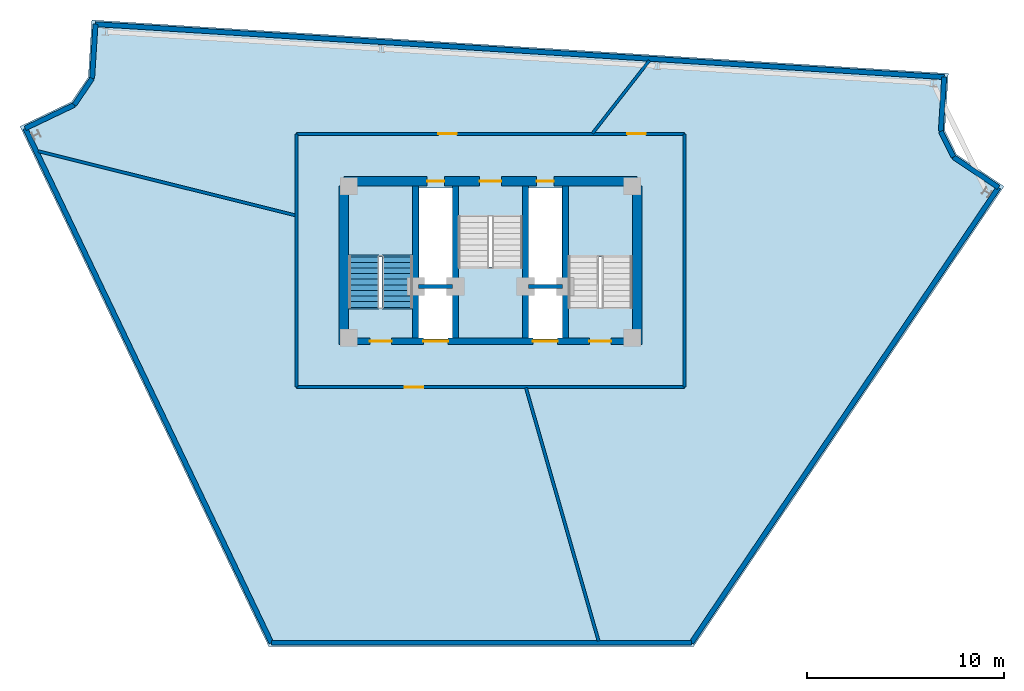
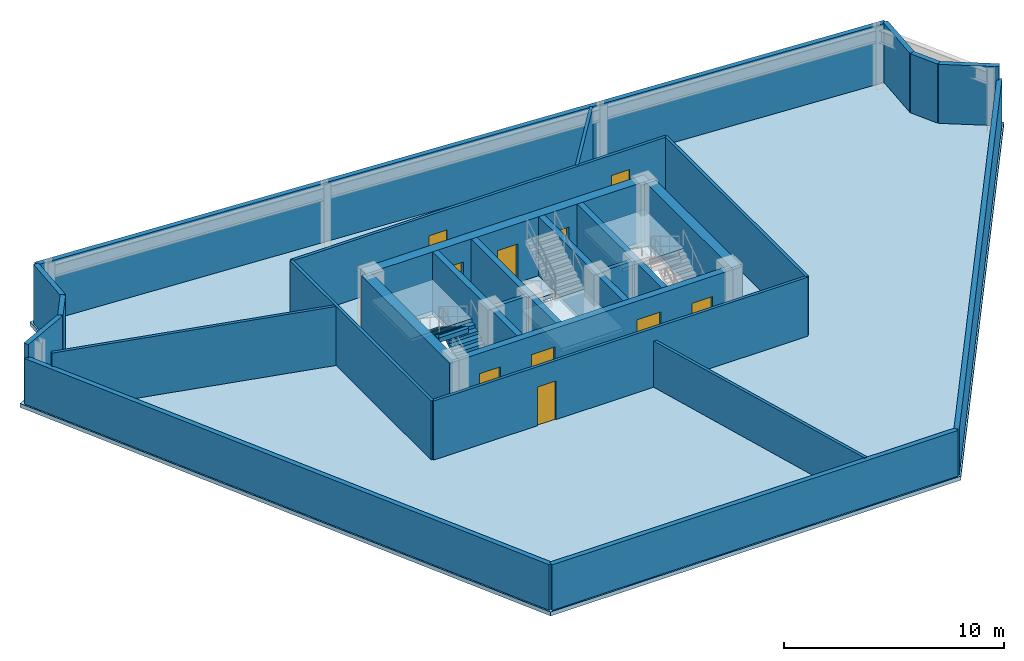
# One storey, part 3 of 5: 27 walls, 10 doors, 4 slabs, 2 stair flights, 10 openings, 3 elements without a shape of their own.
"""IFC4 building model written with IfcOpenShell, lengths in metres."""

from ifc_helpers import new_model, si_unit, direction, frame, frame_2d, origin, place, context, subcontext, project, spatial, polyline, rectangle, outline, extrude, material, layer, layer_set, type_object, element, fill, aggregate, save


model = new_model("IFC4")

# Units and contexts
model_context = context("Model", 3, precision=1e-05, world=origin(), true_north=direction((0.0, 1.0)))
body_context = subcontext(model_context, "Body", "Model", "MODEL_VIEW")
ifc_project = project(units=[si_unit("LENGTHUNIT", "METRE"), si_unit("AREAUNIT", "SQUARE_METRE"), si_unit("VOLUMEUNIT", "CUBIC_METRE"), si_unit("PLANEANGLEUNIT", "RADIAN"), si_unit("MASSUNIT", "GRAM", prefix="KILO")], contexts=[model_context])

# Site, building, storey
site_placement = place(None, origin())
site = spatial("IfcSite", under=ifc_project, at=site_placement, CompositionType="ELEMENT")
building_placement = place(site_placement, origin())
building = spatial("IfcBuilding", under=site, at=building_placement, Name="Apsidion Concourse Tower", CompositionType="ELEMENT")
storey_placement = place(building_placement, frame((0.0, 0.0, 339.5)))
storey = spatial("IfcBuildingStorey", under=building, at=storey_placement, Name="L80", CompositionType="ELEMENT", Elevation=339.5)

# Slab
ifc_material_1 = material(Name="Concrete C50/60", Category="concrete")
ifc_layer_1 = layer(ifc_material_1, 0.219970703125)
ifc_layer_set_1 = layer_set([ifc_layer_1], Name="Concrete C50/60")
slab_type_1 = type_object("IfcSlabType", Name="SL-FLR-220", PredefinedType="FLOOR", material=ifc_layer_set_1)
slab_1_placement = place(storey_placement, frame((0.0, 0.0, -0.219970703125)))
element("IfcSlab", 1, at=slab_1_placement, inside=storey, type_object=slab_type_1, Name="L80 Structural Floor Slab", PredefinedType="FLOOR", context=body_context, shape_type="SweptSolid", body=[
    extrude(outline(polyline([(-23.89111328125, 12.180908203125), (-21.27001953125, 13.43505859375), (-20.424560546875, 14.688232421875), (-20.24365234375, 17.58837890625), (23.251708984375, 14.875732421875), (23.07080078125, 11.9755859375), (23.668701171875, 10.76171875), (26.07763671875, 9.136962890625), (10.31201171875, -14.236328125), (-11.251953125, -14.236328125), (-23.89111328125, 12.180908203125)]), holes=[polyline([(-3.949951171875, 3.0), (-3.949951171875, 9.14990234375), (-7.199951171875, 9.14990234375), (-7.199951171875, 3.0), (-3.949951171875, 3.0)]), polyline([(7.199951171875, 3.0), (7.199951171875, 9.14990234375), (3.949951171875, 9.14990234375), (3.949951171875, 3.0), (7.199951171875, 3.0)]), polyline([(-1.625, 7.60009765625), (-1.625, 1.449951171875), (1.625, 1.449951171875), (1.625, 7.60009765625), (-1.625, 7.60009765625)]), polyline([(-3.7099609375, 1.39990234375), (-1.85009765625, 1.39990234375), (-1.85009765625, 4.0), (-3.7099609375, 4.0), (-3.7099609375, 1.39990234375)]), polyline([(1.85009765625, 1.39990234375), (3.7099609375, 1.39990234375), (3.7099609375, 4.0), (1.85009765625, 4.0), (1.85009765625, 1.39990234375)]), polyline([(-3.6201171875, 4.14990234375), (-1.93994140625, 4.14990234375), (-1.93994140625, 9.050048828125), (-3.6201171875, 9.050048828125), (-3.6201171875, 4.14990234375)]), polyline([(1.93994140625, 4.14990234375), (3.6201171875, 4.14990234375), (3.6201171875, 9.050048828125), (1.93994140625, 9.050048828125), (1.93994140625, 4.14990234375)])]), origin(), (0.0, 0.0, 1.0), 0.219970703125),
])

# Stair, slab
ifc_material_2 = material(Name="Precast concrete C40/50", Category="concrete")
stair_type = type_object("IfcStairType", Name="ST-DL-1550", PredefinedType="HALF_TURN_STAIR", material=ifc_material_2)
stair_1_placement = place(storey_placement, origin())
stair_1 = element("IfcStair", 2, at=stair_1_placement, inside=storey, type_object=stair_type, Name="L80 Protected Core Exit Stair ST1", PredefinedType="HALF_TURN_STAIR")
ifc_layer_2 = layer(ifc_material_1, 0.199951171875)
ifc_layer_set_2 = layer_set([ifc_layer_2], Name="Concrete C50/60")
slab_type_2 = type_object("IfcSlabType", Name="SL-ST-LAND-200", PredefinedType="LANDING", material=ifc_layer_set_2)
slab_2_placement = place(storey_placement, frame((0.0, 0.0, 1.550048828125)))
slab_2 = element("IfcSlab", 3, at=slab_2_placement, type_object=slab_type_2, Name="ST1 landing 1", PredefinedType="LANDING", context=body_context, shape_type="SweptSolid", body=[
    extrude(outline(polyline([(-3.949951171875, 5.56494140625), (-3.949951171875, 9.14990234375), (-7.199951171875, 9.14990234375), (-7.199951171875, 5.56494140625), (-3.949951171875, 5.56494140625)])), origin(), (0.0, 0.0, 1.0), 0.199951171875),
])

stair_2_placement = place(storey_placement, origin())
stair_2 = element("IfcStair", 4, at=stair_2_placement, inside=storey, type_object=stair_type, Name="L80 Protected Core Exit Stair ST2", PredefinedType="HALF_TURN_STAIR")
slab_3_placement = place(storey_placement, frame((0.0, 0.0, 1.550048828125)))
slab_3 = element("IfcSlab", 5, at=slab_3_placement, type_object=slab_type_2, Name="ST2 landing 1", PredefinedType="LANDING", context=body_context, shape_type="SweptSolid", body=[
    extrude(outline(polyline([(7.199951171875, 5.56494140625), (7.199951171875, 9.14990234375), (3.949951171875, 9.14990234375), (3.949951171875, 5.56494140625), (7.199951171875, 5.56494140625)])), origin(), (0.0, 0.0, 1.0), 0.199951171875),
])
aggregate(stair_2, [slab_3])

stair_3_placement = place(storey_placement, origin())
stair_3 = element("IfcStair", 6, at=stair_3_placement, inside=storey, type_object=stair_type, Name="L80 Protected Core Exit Stair ST3", PredefinedType="HALF_TURN_STAIR")
slab_4_placement = place(storey_placement, frame((0.0, 0.0, 1.550048828125)))
slab_4 = element("IfcSlab", 7, at=slab_4_placement, type_object=slab_type_2, Name="ST3 landing 1", PredefinedType="LANDING", context=body_context, shape_type="SweptSolid", body=[
    extrude(outline(polyline([(-1.625, 5.034912109375), (-1.625, 1.449951171875), (1.625, 1.449951171875), (1.625, 5.034912109375), (-1.625, 5.034912109375)])), origin(), (0.0, 0.0, 1.0), 0.199951171875),
])
aggregate(stair_3, [slab_4])

# Walls
ifc_layer_3 = layer(ifc_material_2, 0.25)
ifc_layer_set_3 = layer_set([ifc_layer_3], Name="Precast concrete C40/50")
wall_type_1 = type_object("IfcWallType", Name="WL-EXT-250", PredefinedType="STANDARD", material=ifc_layer_set_3)
wall_1_placement = place(storey_placement, frame((-23.62451171875, 12.0869140625, 0.0), z_axis=(0.0, 0.0, 1.0), x_axis=(0.902092306117, 0.431543127909, 0.0)))
element("IfcWall", 8, at=wall_1_placement, inside=storey, type_object=wall_type_1, Name="L80 Precast Stone Facade Wall 01", PredefinedType="STANDARD", context=body_context, shape_type="SweptSolid", body=[
    extrude(rectangle(XDim=2.76025390625, YDim=0.25, at=frame_2d((1.380126953125, 0.0))), origin(), (0.0, 0.0, 1.0), 3.280029296875),
])
wall_2_placement = place(storey_placement, frame((-21.134521484375, 13.278076171875, 0.0), z_axis=(0.0, 0.0, 1.0), x_axis=(0.559107950815, 0.829094867512, 0.0)))
element("IfcWall", 9, at=wall_2_placement, inside=storey, type_object=wall_type_1, Name="L80 Precast Stone Facade Wall 02", PredefinedType="STANDARD", context=body_context, shape_type="SweptSolid", body=[
    extrude(rectangle(XDim=1.620361328125, YDim=0.25, at=frame_2d((0.81005859375, 0.0))), origin(), (0.0, 0.0, 1.0), 3.280029296875),
])
wall_3_placement = place(storey_placement, frame((-20.228515625, 14.62158203125, 0.0), z_axis=(0.0, 0.0, 1.0), x_axis=(0.062361765106, 0.998053610911, 0.0)))
element("IfcWall", 10, at=wall_3_placement, inside=storey, type_object=wall_type_1, Name="L80 Precast Stone Facade Wall 03", PredefinedType="STANDARD", context=body_context, shape_type="SweptSolid", body=[
    extrude(rectangle(XDim=2.760009765625, YDim=0.25, at=frame_2d((1.3798828125, 0.0))), origin(), (0.0, 0.0, 1.0), 3.280029296875),
])
wall_4_placement = place(storey_placement, frame((-20.056396484375, 17.376220703125, 0.0), z_axis=(0.0, 0.0, 1.0), x_axis=(0.998061236898, -0.06223959674, 0.0)))
element("IfcWall", 11, at=wall_4_placement, inside=storey, type_object=wall_type_1, Name="L80 Precast Stone Facade Wall 04", PredefinedType="STANDARD", context=body_context, shape_type="SweptSolid", body=[
    extrude(rectangle(XDim=43.179931640625, YDim=0.25, at=frame_2d((21.58984375, 0.0))), origin(), (0.0, 0.0, 1.0), 3.280029296875),
])
wall_5_placement = place(storey_placement, frame((23.039794921875, 14.688720703125, 0.0), z_axis=(0.0, 0.0, 1.0), x_axis=(-0.062295651102, -0.998057739739, 0.0)))
element("IfcWall", 12, at=wall_5_placement, inside=storey, type_object=wall_type_1, Name="L80 Precast Stone Facade Wall 05", PredefinedType="STANDARD", context=body_context, shape_type="SweptSolid", body=[
    extrude(rectangle(XDim=2.759033203125, YDim=0.25, at=frame_2d((1.37939453125, 0.0))), origin(), (0.0, 0.0, 1.0), 3.280029296875),
])
wall_6_placement = place(storey_placement, frame((22.867919921875, 11.93505859375, 0.0), z_axis=(0.0, 0.0, 1.0), x_axis=(0.441785524615, -0.897120699929, 0.0)))
element("IfcWall", 13, at=wall_6_placement, inside=storey, type_object=wall_type_1, Name="L80 Precast Stone Facade Wall 06", PredefinedType="STANDARD", context=body_context, shape_type="SweptSolid", body=[
    extrude(rectangle(XDim=1.45947265625, YDim=0.25, at=frame_2d((0.729736328125, 0.0))), origin(), (0.0, 0.0, 1.0), 3.280029296875),
])
wall_7_placement = place(storey_placement, frame((23.5126953125, 10.625732421875, 0.0), z_axis=(0.0, 0.0, 1.0), x_axis=(0.829056864924, -0.559164300294, 0.0)))
element("IfcWall", 14, at=wall_7_placement, inside=storey, type_object=wall_type_1, Name="L80 Precast Stone Facade Wall 07", PredefinedType="STANDARD", context=body_context, shape_type="SweptSolid", body=[
    extrude(rectangle(XDim=2.759033203125, YDim=0.25, at=frame_2d((1.37939453125, 0.0))), origin(), (0.0, 0.0, 1.0), 3.280029296875),
])
wall_8_placement = place(storey_placement, frame((25.800048828125, 9.0830078125, 0.0), z_axis=(0.0, 0.0, 1.0), x_axis=(-0.559193306499, -0.829037300709, 0.0)))
element("IfcWall", 15, at=wall_8_placement, inside=storey, type_object=wall_type_1, Name="L80 Precast Stone Facade Wall 08", PredefinedType="STANDARD", context=body_context, shape_type="SweptSolid", body=[
    extrude(rectangle(XDim=27.886962890625, YDim=0.25, at=frame_2d((13.943359375, 0.0))), origin(), (0.0, 0.0, 1.0), 2.532470703125),
])
wall_9_placement = place(storey_placement, frame((10.205810546875, -14.036376953125, 0.0), z_axis=(0.0, 0.0, 1.0), x_axis=(-1.0, 0.0, 0.0)))
element("IfcWall", 16, at=wall_9_placement, inside=storey, type_object=wall_type_1, Name="L80 Precast Stone Facade Wall 09", PredefinedType="STANDARD", context=body_context, shape_type="SweptSolid", body=[
    extrude(rectangle(XDim=21.331787109375, YDim=0.25, at=frame_2d((10.666015625, 0.0))), origin(), (0.0, 0.0, 1.0), 2.532470703125),
])
wall_10_placement = place(storey_placement, frame((-11.1259765625, -14.036376953125, 0.0), z_axis=(0.0, 0.0, 1.0), x_axis=(-0.431590030008, 0.902069867581, 0.0)))
element("IfcWall", 17, at=wall_10_placement, inside=storey, type_object=wall_type_1, Name="L80 Precast Stone Facade Wall 10", PredefinedType="STANDARD", context=body_context, shape_type="SweptSolid", body=[
    extrude(rectangle(XDim=28.959228515625, YDim=0.25, at=frame_2d((14.4794921875, 0.0))), origin(), (0.0, 0.0, 1.0), 2.532470703125),
])

# Wall, openings, doors
ifc_material_3 = material(Name="Gypsum plasterboard partition")
ifc_layer_4 = layer(ifc_material_3, 0.14990234375)
ifc_layer_set_4 = layer_set([ifc_layer_4], Name="Gypsum plasterboard partition")
wall_type_2 = type_object("IfcWallType", Name="WL-INT-PAR-150", PredefinedType="PARTITIONING", material=ifc_layer_set_4)
wall_11_placement = place(storey_placement, frame((-9.85009765625, 11.800048828125, 0.0), z_axis=(0.0, 0.0, 1.0), x_axis=(1.0, 0.0, 0.0)))
wall_11 = element("IfcWall", 18, at=wall_11_placement, inside=storey, type_object=wall_type_2, Name="L80 Interior Partition WL-L80-CCR-1", PredefinedType="PARTITIONING", context=body_context, shape_type="SweptSolid", body=[
    extrude(rectangle(XDim=19.7001953125, YDim=0.14990234375, at=frame_2d((9.85009765625, 0.0))), origin(), (0.0, 0.0, 1.0), 3.280029296875),
])
opening_1_placement = place(wall_11_placement, frame((16.7900390625, 0.0, 0.0)))
opening_1 = element("IfcOpeningElement", 19, at=opening_1_placement, cuts=wall_11, Name="Opening D-04R", PredefinedType="OPENING", context=body_context, shape_type="SweptSolid", body=[
    extrude(rectangle(XDim=0.949951171875, YDim=2.14990234375, at=frame_2d((0.47509765625, 1.074951171875))), frame((0.0, 0.0849609375, 0.0), z_axis=(0.0, -1.0, 0.0), x_axis=(1.0, 0.0, 0.0)), (0.0, 0.0, 1.0), 0.169921875),
])
opening_2_placement = place(wall_11_placement, frame((7.2001953125, 0.0, 0.0)))
opening_2 = element("IfcOpeningElement", 20, at=opening_2_placement, cuts=wall_11, Name="Opening D-04L", PredefinedType="OPENING", context=body_context, shape_type="SweptSolid", body=[
    extrude(rectangle(XDim=0.949951171875, YDim=2.14990234375, at=frame_2d((0.47509765625, 1.074951171875))), frame((0.0, 0.0849609375, 0.0), z_axis=(0.0, -1.0, 0.0), x_axis=(1.0, 0.0, 0.0)), (0.0, 0.0, 1.0), 0.169921875),
])
ifc_material_4 = material(Name="Brushed stainless steel 316", Category="steel")
door_type_1 = type_object("IfcDoorType", Name="DR-INT-D04L", OperationType="SINGLE_SWING_LEFT", PredefinedType="DOOR", material=ifc_material_4)
door_1_placement = place(opening_2_placement, origin())
door_1 = element("IfcDoor", 21, at=door_1_placement, inside=storey, type_object=door_type_1, Name="L80 Crown Plant Door 3", OperationType="SINGLE_SWING_LEFT", OverallHeight=2.14990234375, OverallWidth=0.949951171875, PredefinedType="DOOR", context=body_context, shape_type="SweptSolid", body=[
    extrude(rectangle(XDim=0.949951171875, YDim=2.14990234375, at=frame_2d((0.47509765625, 1.074951171875))), frame((0.0, 0.02490234375, 0.0), z_axis=(0.0, -1.0, 0.0), x_axis=(1.0, 0.0, 0.0)), (0.0, 0.0, 1.0), 0.050048828125),
])
fill(opening_2, door_1)
door_type_2 = type_object("IfcDoorType", Name="DR-INT-D04R", OperationType="SINGLE_SWING_RIGHT", PredefinedType="DOOR", material=ifc_material_4)
door_2_placement = place(opening_1_placement, origin())
door_2 = element("IfcDoor", 22, at=door_2_placement, inside=storey, type_object=door_type_2, Name="L80 Crown Plant Door 2", OperationType="SINGLE_SWING_RIGHT", OverallHeight=2.14990234375, OverallWidth=0.949951171875, PredefinedType="DOOR", context=body_context, shape_type="SweptSolid", body=[
    extrude(rectangle(XDim=0.949951171875, YDim=2.14990234375, at=frame_2d((0.47509765625, 1.074951171875))), frame((0.0, 0.02490234375, 0.0), z_axis=(0.0, -1.0, 0.0), x_axis=(1.0, 0.0, 0.0)), (0.0, 0.0, 1.0), 0.050048828125),
])
fill(opening_1, door_2)

# Wall
wall_12_placement = place(storey_placement, frame((9.85009765625, 11.800048828125, 0.0), z_axis=(0.0, 0.0, 1.0), x_axis=(0.0, -1.0, 0.0)))
element("IfcWall", 23, at=wall_12_placement, inside=storey, type_object=wall_type_2, Name="L80 Interior Partition WL-L80-CCR-2", PredefinedType="PARTITIONING", context=body_context, shape_type="SweptSolid", body=[
    extrude(rectangle(XDim=12.85498046875, YDim=0.14990234375, at=frame_2d((6.427490234375, 0.0))), origin(), (0.0, 0.0, 1.0), 3.280029296875),
])

# Wall, opening, door
wall_13_placement = place(storey_placement, frame((9.85009765625, -1.054931640625, 0.0), z_axis=(0.0, 0.0, 1.0), x_axis=(-1.0, 0.0, 0.0)))
wall_13 = element("IfcWall", 24, at=wall_13_placement, inside=storey, type_object=wall_type_2, Name="L80 Interior Partition WL-L80-CCR-3", PredefinedType="PARTITIONING", context=body_context, shape_type="SweptSolid", body=[
    extrude(rectangle(XDim=19.7001953125, YDim=0.14990234375, at=frame_2d((9.85009765625, 0.0))), origin(), (0.0, 0.0, 1.0), 3.280029296875),
])
opening_3_placement = place(wall_13_placement, frame((13.26171875, 0.0, 0.0)))
opening_3 = element("IfcOpeningElement", 25, at=opening_3_placement, cuts=wall_13, Name="Opening D-04L", PredefinedType="OPENING", context=body_context, shape_type="SweptSolid", body=[
    extrude(rectangle(XDim=0.949951171875, YDim=2.14990234375, at=frame_2d((0.47509765625, 1.074951171875))), frame((0.0, 0.0849609375, 0.0), z_axis=(0.0, -1.0, 0.0), x_axis=(1.0, 0.0, 0.0)), (0.0, 0.0, 1.0), 0.169921875),
])
door_3_placement = place(opening_3_placement, origin())
door_3 = element("IfcDoor", 26, at=door_3_placement, inside=storey, type_object=door_type_1, Name="L80 Crown Plant Door 1", OperationType="SINGLE_SWING_LEFT", OverallHeight=2.14990234375, OverallWidth=0.949951171875, PredefinedType="DOOR", context=body_context, shape_type="SweptSolid", body=[
    extrude(rectangle(XDim=0.949951171875, YDim=2.14990234375, at=frame_2d((0.47509765625, 1.074951171875))), frame((0.0, 0.02490234375, 0.0), z_axis=(0.0, -1.0, 0.0), x_axis=(1.0, 0.0, 0.0)), (0.0, 0.0, 1.0), 0.050048828125),
])
fill(opening_3, door_3)

# Walls
wall_14_placement = place(storey_placement, frame((-9.85009765625, -1.054931640625, 0.0), z_axis=(0.0, 0.0, 1.0), x_axis=(0.0, 1.0, 0.0)))
element("IfcWall", 27, at=wall_14_placement, inside=storey, type_object=wall_type_2, Name="L80 Interior Partition WL-L80-CCR-4", PredefinedType="PARTITIONING", context=body_context, shape_type="SweptSolid", body=[
    extrude(rectangle(XDim=12.85498046875, YDim=0.14990234375, at=frame_2d((6.427490234375, 0.0))), origin(), (0.0, 0.0, 1.0), 3.280029296875),
])
wall_15_placement = place(storey_placement, frame((5.179931640625, 11.830078125, 0.0), z_axis=(0.0, 0.0, 1.0), x_axis=(0.615673287735, 0.788001524599, 0.0)))
element("IfcWall", 28, at=wall_15_placement, inside=storey, type_object=wall_type_2, Name="L80 Interior Partition WL-L80-CRD-1-1", PredefinedType="PARTITIONING", context=body_context, shape_type="SweptSolid", body=[
    extrude(rectangle(XDim=4.69775390625, YDim=0.14990234375, at=frame_2d((2.348876953125, 0.0))), origin(), (0.0, 0.0, 1.0), 3.280029296875),
])
wall_16_placement = place(storey_placement, frame((-9.8798828125, 7.663330078125, 0.0), z_axis=(0.0, 0.0, 1.0), x_axis=(-0.970295599686, 0.241922403324, 0.0)))
element("IfcWall", 29, at=wall_16_placement, inside=storey, type_object=wall_type_2, Name="L80 Interior Partition WL-L80-CRD-2-1", PredefinedType="PARTITIONING", context=body_context, shape_type="SweptSolid", body=[
    extrude(rectangle(XDim=13.490478515625, YDim=0.14990234375, at=frame_2d((6.7451171875, 0.0))), origin(), (0.0, 0.0, 1.0), 3.280029296875),
])
wall_17_placement = place(storey_placement, frame((1.80224609375, -1.0849609375, 0.0), z_axis=(0.0, 0.0, 1.0), x_axis=(0.275624762019, -0.961265307062, 0.0)))
element("IfcWall", 30, at=wall_17_placement, inside=storey, type_object=wall_type_2, Name="L80 Interior Partition WL-L80-CRD-3-1", PredefinedType="PARTITIONING", context=body_context, shape_type="SweptSolid", body=[
    extrude(rectangle(XDim=13.379638671875, YDim=0.14990234375, at=frame_2d((6.68994140625, 0.0))), origin(), (0.0, 0.0, 1.0), 2.56298828125),
])
ifc_layer_5 = layer(ifc_material_3, 0.199951171875)
ifc_layer_set_5 = layer_set([ifc_layer_5], Name="Gypsum plasterboard partition")
wall_type_3 = type_object("IfcWallType", Name="WL-INT-PAR-200", PredefinedType="PARTITIONING", material=ifc_layer_set_5)
for number, where, z_axis, x_axis, name in (
    (31, (-3.64990234375, 4.050048828125, 0.0), (0.0, 0.0, 1.0), (1.0, 0.0, 0.0), "L80 Interior Partition WL-L80-FF1-N"),
    (32, (1.919921875, 4.050048828125, 0.0), (0.0, 0.0, 1.0), (1.0, 0.0, 0.0), "L80 Interior Partition WL-L80-FF2-N"),
):
    element("IfcWall", number, at=place(storey_placement, frame(where, z_axis=z_axis, x_axis=x_axis)), inside=storey, type_object=wall_type_3, Name=name, PredefinedType="PARTITIONING", context=body_context, shape_type="SweptSolid", body=[
        extrude(rectangle(XDim=1.72998046875, YDim=0.199951171875, at=frame_2d((0.864990234375, 0.0))), origin(), (0.0, 0.0, 1.0), 3.280029296875),
    ])
ifc_layer_6 = layer(ifc_material_1, 0.300048828125)
ifc_layer_set_6 = layer_set([ifc_layer_6], Name="Concrete C50/60")
wall_type_4 = type_object("IfcWallType", Name="WL-SH-300", PredefinedType="SHEAR", material=ifc_layer_set_6)
for number, where, z_axis, x_axis, name in (
    (33, (-3.800048828125, 1.449951171875, 0.0), (0.0, 0.0, 1.0), (0.0, 1.0, 0.0), "L80 Central Core Shear Wall V1"),
    (34, (-1.77490234375, 1.449951171875, 0.0), (0.0, 0.0, 1.0), (0.0, 1.0, 0.0), "L80 Central Core Shear Wall V2"),
    (35, (1.77490234375, 1.449951171875, 0.0), (0.0, 0.0, 1.0), (0.0, 1.0, 0.0), "L80 Central Core Shear Wall V3"),
    (36, (3.800048828125, 1.449951171875, 0.0), (0.0, 0.0, 1.0), (0.0, 1.0, 0.0), "L80 Central Core Shear Wall V4"),
):
    element("IfcWall", number, at=place(storey_placement, frame(where, z_axis=z_axis, x_axis=x_axis)), inside=storey, type_object=wall_type_4, Name=name, PredefinedType="SHEAR", context=body_context, shape_type="SweptSolid", body=[
        extrude(rectangle(XDim=7.699951171875, YDim=0.300048828125, at=frame_2d((3.85009765625, 0.0))), origin(), (0.0, 0.0, 1.0), 3.280029296875),
    ])

# Wall, openings, doors
ifc_layer_7 = layer(ifc_material_1, 0.35009765625)
ifc_layer_set_7 = layer_set([ifc_layer_7], Name="Concrete C50/60")
wall_type_5 = type_object("IfcWallType", Name="WL-SH-350", PredefinedType="SHEAR", material=ifc_layer_set_7)
wall_18_placement = place(storey_placement, frame((-7.199951171875, 1.27490234375, 0.0), z_axis=(0.0, 0.0, 1.0), x_axis=(1.0, 0.0, 0.0)))
wall_18 = element("IfcWall", 37, at=wall_18_placement, inside=storey, type_object=wall_type_5, Name="L80 Central Core Shear Wall M1", PredefinedType="SHEAR", context=body_context, shape_type="SweptSolid", body=[
    extrude(rectangle(XDim=14.39990234375, YDim=0.35009765625, at=frame_2d((7.199951171875, 0.0))), origin(), (0.0, 0.0, 1.0), 3.280029296875),
])
opening_4_placement = place(wall_18_placement, frame((3.794921875, 0.0, 0.0)))
opening_4 = element("IfcOpeningElement", 38, at=opening_4_placement, cuts=wall_18, Name="Opening LD-FF", PredefinedType="OPENING", context=body_context, shape_type="SweptSolid", body=[
    extrude(rectangle(XDim=1.25, YDim=2.25, at=frame_2d((0.625, 1.125))), frame((0.0, 0.18505859375, 0.0), z_axis=(0.0, -1.0, 0.0), x_axis=(1.0, 0.0, 0.0)), (0.0, 0.0, 1.0), 0.3701171875),
])
opening_5_placement = place(wall_18_placement, frame((9.35498046875, 0.0, 0.0)))
opening_5 = element("IfcOpeningElement", 39, at=opening_5_placement, cuts=wall_18, Name="Opening LD-FF", PredefinedType="OPENING", context=body_context, shape_type="SweptSolid", body=[
    extrude(rectangle(XDim=1.25, YDim=2.25, at=frame_2d((0.625, 1.125))), frame((0.0, 0.18505859375, 0.0), z_axis=(0.0, -1.0, 0.0), x_axis=(1.0, 0.0, 0.0)), (0.0, 0.0, 1.0), 0.3701171875),
])
opening_6_placement = place(wall_18_placement, frame((1.074951171875, 0.0, 0.0)))
opening_6 = element("IfcOpeningElement", 40, at=opening_6_placement, cuts=wall_18, Name="Opening D-STL", PredefinedType="OPENING", context=body_context, shape_type="SweptSolid", body=[
    extrude(rectangle(XDim=1.10009765625, YDim=2.14990234375, at=frame_2d((0.550048828125, 1.074951171875))), frame((0.0, 0.18505859375, 0.0), z_axis=(0.0, -1.0, 0.0), x_axis=(1.0, 0.0, 0.0)), (0.0, 0.0, 1.0), 0.3701171875),
])
opening_7_placement = place(wall_18_placement, frame((12.22509765625, 0.0, 0.0)))
opening_7 = element("IfcOpeningElement", 41, at=opening_7_placement, cuts=wall_18, Name="Opening D-STR", PredefinedType="OPENING", context=body_context, shape_type="SweptSolid", body=[
    extrude(rectangle(XDim=1.10009765625, YDim=2.14990234375, at=frame_2d((0.550048828125, 1.074951171875))), frame((0.0, 0.18505859375, 0.0), z_axis=(0.0, -1.0, 0.0), x_axis=(1.0, 0.0, 0.0)), (0.0, 0.0, 1.0), 0.3701171875),
])
door_type_3 = type_object("IfcDoorType", Name="DR-INT-ST1L", OperationType="SINGLE_SWING_LEFT", PredefinedType="DOOR", material=ifc_material_4)
door_4_placement = place(opening_6_placement, origin())
door_4 = element("IfcDoor", 42, at=door_4_placement, inside=storey, type_object=door_type_3, Name="L80 Core Exit Stair ST1 Door", OperationType="SINGLE_SWING_LEFT", OverallHeight=2.14990234375, OverallWidth=1.10009765625, PredefinedType="DOOR", context=body_context, shape_type="SweptSolid", body=[
    extrude(rectangle(XDim=1.10009765625, YDim=2.14990234375, at=frame_2d((0.550048828125, 1.074951171875))), frame((0.0, 0.02490234375, 0.0), z_axis=(0.0, -1.0, 0.0), x_axis=(1.0, 0.0, 0.0)), (0.0, 0.0, 1.0), 0.050048828125),
])
fill(opening_6, door_4)
door_type_4 = type_object("IfcDoorType", Name="DR-INT-ST1R", OperationType="SINGLE_SWING_RIGHT", PredefinedType="DOOR", material=ifc_material_4)
door_5_placement = place(opening_7_placement, origin())
door_5 = element("IfcDoor", 43, at=door_5_placement, inside=storey, type_object=door_type_4, Name="L80 Core Exit Stair ST2 Door", OperationType="SINGLE_SWING_RIGHT", OverallHeight=2.14990234375, OverallWidth=1.10009765625, PredefinedType="DOOR", context=body_context, shape_type="SweptSolid", body=[
    extrude(rectangle(XDim=1.10009765625, YDim=2.14990234375, at=frame_2d((0.550048828125, 1.074951171875))), frame((0.0, 0.02490234375, 0.0), z_axis=(0.0, -1.0, 0.0), x_axis=(1.0, 0.0, 0.0)), (0.0, 0.0, 1.0), 0.050048828125),
])
fill(opening_7, door_5)
door_type_5 = type_object("IfcDoorType", Name="DR-LD-FSAE", OperationType="DOUBLE_DOOR_SLIDING", PredefinedType="DOOR", material=ifc_material_4)
door_6_placement = place(opening_4_placement, origin())
door_6 = element("IfcDoor", 44, at=door_6_placement, inside=storey, type_object=door_type_5, Name="L80 Lift Landing Door FF1", OperationType="DOUBLE_DOOR_SLIDING", OverallHeight=2.25, OverallWidth=1.25, PredefinedType="DOOR", context=body_context, shape_type="SweptSolid", body=[
    extrude(rectangle(XDim=1.25, YDim=2.25, at=frame_2d((0.625, 1.125))), frame((0.0, 0.02490234375, 0.0), z_axis=(0.0, -1.0, 0.0), x_axis=(1.0, 0.0, 0.0)), (0.0, 0.0, 1.0), 0.050048828125),
])
fill(opening_4, door_6)
door_7_placement = place(opening_5_placement, origin())
door_7 = element("IfcDoor", 45, at=door_7_placement, inside=storey, type_object=door_type_5, Name="L80 Lift Landing Door FF2", OperationType="DOUBLE_DOOR_SLIDING", OverallHeight=2.25, OverallWidth=1.25, PredefinedType="DOOR", context=body_context, shape_type="SweptSolid", body=[
    extrude(rectangle(XDim=1.25, YDim=2.25, at=frame_2d((0.625, 1.125))), frame((0.0, 0.02490234375, 0.0), z_axis=(0.0, -1.0, 0.0), x_axis=(1.0, 0.0, 0.0)), (0.0, 0.0, 1.0), 0.050048828125),
])
fill(opening_5, door_7)

ifc_layer_8 = layer(ifc_material_1, 0.5)
ifc_layer_set_8 = layer_set([ifc_layer_8], Name="Concrete C50/60")
wall_type_6 = type_object("IfcWallType", Name="WL-SH-500", PredefinedType="SHEAR", material=ifc_layer_set_8)
wall_19_placement = place(storey_placement, frame((-7.449951171875, 9.39990234375, 0.0), z_axis=(0.0, 0.0, 1.0), x_axis=(1.0, 0.0, 0.0)))
wall_19 = element("IfcWall", 46, at=wall_19_placement, inside=storey, type_object=wall_type_6, Name="L80 Central Core Shear Wall N", PredefinedType="SHEAR", context=body_context, shape_type="SweptSolid", body=[
    extrude(rectangle(XDim=14.89990234375, YDim=0.5, at=frame_2d((7.449951171875, 0.0))), origin(), (0.0, 0.0, 1.0), 3.280029296875),
])
opening_8_placement = place(wall_19_placement, frame((6.89990234375, 0.0, 0.0)))
opening_8 = element("IfcOpeningElement", 47, at=opening_8_placement, cuts=wall_19, Name="Opening D-STL", PredefinedType="OPENING", context=body_context, shape_type="SweptSolid", body=[
    extrude(rectangle(XDim=1.10009765625, YDim=2.14990234375, at=frame_2d((0.550048828125, 1.074951171875))), frame((0.0, 0.260009765625, 0.0), z_axis=(0.0, -1.0, 0.0), x_axis=(1.0, 0.0, 0.0)), (0.0, 0.0, 1.0), 0.52001953125),
])
opening_9_placement = place(wall_19_placement, frame((4.22998046875, 0.0, 0.0)))
opening_9 = element("IfcOpeningElement", 48, at=opening_9_placement, cuts=wall_19, Name="Opening D-05L", PredefinedType="OPENING", context=body_context, shape_type="SweptSolid", body=[
    extrude(rectangle(XDim=0.8798828125, YDim=2.14990234375, at=frame_2d((0.43994140625, 1.074951171875))), frame((0.0, 0.260009765625, 0.0), z_axis=(0.0, -1.0, 0.0), x_axis=(1.0, 0.0, 0.0)), (0.0, 0.0, 1.0), 0.52001953125),
])
opening_10_placement = place(wall_19_placement, frame((9.7900390625, 0.0, 0.0)))
opening_10 = element("IfcOpeningElement", 49, at=opening_10_placement, cuts=wall_19, Name="Opening D-05R", PredefinedType="OPENING", context=body_context, shape_type="SweptSolid", body=[
    extrude(rectangle(XDim=0.8798828125, YDim=2.14990234375, at=frame_2d((0.43994140625, 1.074951171875))), frame((0.0, 0.260009765625, 0.0), z_axis=(0.0, -1.0, 0.0), x_axis=(1.0, 0.0, 0.0)), (0.0, 0.0, 1.0), 0.52001953125),
])
door_type_6 = type_object("IfcDoorType", Name="DR-INT-D05L", OperationType="SINGLE_SWING_LEFT", PredefinedType="DOOR", material=ifc_material_4)
door_8_placement = place(opening_9_placement, origin())
door_8 = element("IfcDoor", 50, at=door_8_placement, inside=storey, type_object=door_type_6, Name="L80 Electrical Riser Shaft Access Door", OperationType="SINGLE_SWING_LEFT", OverallHeight=2.14990234375, OverallWidth=0.8798828125, PredefinedType="DOOR", context=body_context, shape_type="SweptSolid", body=[
    extrude(rectangle(XDim=0.8798828125, YDim=2.14990234375, at=frame_2d((0.43994140625, 1.074951171875))), frame((0.0, 0.02490234375, 0.0), z_axis=(0.0, -1.0, 0.0), x_axis=(1.0, 0.0, 0.0)), (0.0, 0.0, 1.0), 0.050048828125),
])
fill(opening_9, door_8)
door_type_7 = type_object("IfcDoorType", Name="DR-INT-D05R", OperationType="SINGLE_SWING_RIGHT", PredefinedType="DOOR", material=ifc_material_4)
door_9_placement = place(opening_10_placement, origin())
door_9 = element("IfcDoor", 51, at=door_9_placement, inside=storey, type_object=door_type_7, Name="L80 Mechanical Riser Shaft Access Door", OperationType="SINGLE_SWING_RIGHT", OverallHeight=2.14990234375, OverallWidth=0.8798828125, PredefinedType="DOOR", context=body_context, shape_type="SweptSolid", body=[
    extrude(rectangle(XDim=0.8798828125, YDim=2.14990234375, at=frame_2d((0.43994140625, 1.074951171875))), frame((0.0, 0.02490234375, 0.0), z_axis=(0.0, -1.0, 0.0), x_axis=(1.0, 0.0, 0.0)), (0.0, 0.0, 1.0), 0.050048828125),
])
fill(opening_10, door_9)
door_10_placement = place(opening_8_placement, origin())
door_10 = element("IfcDoor", 52, at=door_10_placement, inside=storey, type_object=door_type_3, Name="L80 Core Exit Stair ST3 Door", OperationType="SINGLE_SWING_LEFT", OverallHeight=2.14990234375, OverallWidth=1.10009765625, PredefinedType="DOOR", context=body_context, shape_type="SweptSolid", body=[
    extrude(rectangle(XDim=1.10009765625, YDim=2.14990234375, at=frame_2d((0.550048828125, 1.074951171875))), frame((0.0, 0.02490234375, 0.0), z_axis=(0.0, -1.0, 0.0), x_axis=(1.0, 0.0, 0.0)), (0.0, 0.0, 1.0), 0.050048828125),
])
fill(opening_8, door_10)

# Walls
for number, where, z_axis, x_axis, name in (
    (53, (-7.449951171875, 1.10009765625, 0.0), (0.0, 0.0, 1.0), (0.0, 1.0, 0.0), "L80 Central Core Shear Wall WN"),
    (54, (7.449951171875, 1.10009765625, 0.0), (0.0, 0.0, 1.0), (0.0, 1.0, 0.0), "L80 Central Core Shear Wall EN"),
):
    element("IfcWall", number, at=place(storey_placement, frame(where, z_axis=z_axis, x_axis=x_axis)), inside=storey, type_object=wall_type_6, Name=name, PredefinedType="SHEAR", context=body_context, shape_type="SweptSolid", body=[
        extrude(rectangle(XDim=8.0498046875, YDim=0.5, at=frame_2d((4.02490234375, 0.0))), origin(), (0.0, 0.0, 1.0), 3.280029296875),
    ])

# Stair flight
stair_flight_type = type_object("IfcStairFlightType", Name="SFL-RC-1550", PredefinedType="STRAIGHT", material=ifc_material_2)
stair_flight_1_placement = place(storey_placement, frame((-4.72509765625, 3.0, 0.0), z_axis=(0.0, 0.0, 1.0), x_axis=(0.0, 1.0, 0.0)))
stair_flight_1 = element("IfcStairFlight", 55, at=stair_flight_1_placement, type_object=stair_flight_type, Name="ST1 flight 1", NumberOfRisers=10, NumberOfTreads=9, PredefinedType="STRAIGHT", RiserHeight=0.175, TreadLength=0.285, context=body_context, shape_type="SweptSolid", body=[
    extrude(outline(polyline([(-0.080078125, -0.1123046875), (-0.080078125, 0.0), (0.0, 0.0), (0.0, 0.175048828125), (0.284912109375, 0.175048828125), (0.284912109375, 0.35009765625), (0.570068359375, 0.35009765625), (0.570068359375, 0.52490234375), (0.85498046875, 0.52490234375), (0.85498046875, 0.699951171875), (1.139892578125, 0.699951171875), (1.139892578125, 0.875), (1.425048828125, 0.875), (1.425048828125, 1.050048828125), (1.7099609375, 1.050048828125), (1.7099609375, 1.22509765625), (1.9951171875, 1.22509765625), (1.9951171875, 1.39990234375), (2.280029296875, 1.39990234375), (2.280029296875, 1.574951171875), (2.56494140625, 1.574951171875), (2.56494140625, 1.75), (2.64501953125, 1.66259765625), (2.64501953125, 1.399169921875), (2.56494140625, 1.399169921875), (0.286376953125, 0.0), (0.286376953125, -0.1123046875), (-0.080078125, -0.1123046875)])), frame((0.0, 0.77490234375, 0.0), z_axis=(0.0, -1.0, 0.0), x_axis=(1.0, 0.0, 0.0)), (0.0, 0.0, 1.0), 1.550048828125),
])

stair_flight_2_placement = place(storey_placement, frame((-6.425048828125, 5.56494140625, 1.75), z_axis=(0.0, 0.0, 1.0), x_axis=(0.0, -1.0, 0.0)))
stair_flight_2 = element("IfcStairFlight", 56, at=stair_flight_2_placement, type_object=stair_flight_type, Name="ST1 flight 2", NumberOfRisers=10, NumberOfTreads=9, PredefinedType="STRAIGHT", RiserHeight=0.175, TreadLength=0.285, context=body_context, shape_type="SweptSolid", body=[
    extrude(outline(polyline([(-0.080078125, -0.1123046875), (-0.080078125, 0.0), (0.0, 0.0), (0.0, 0.175048828125), (0.284912109375, 0.175048828125), (0.284912109375, 0.35009765625), (0.570068359375, 0.35009765625), (0.570068359375, 0.52490234375), (0.85498046875, 0.52490234375), (0.85498046875, 0.699951171875), (1.139892578125, 0.699951171875), (1.139892578125, 0.875), (1.425048828125, 0.875), (1.425048828125, 1.050048828125), (1.7099609375, 1.050048828125), (1.7099609375, 1.22509765625), (1.9951171875, 1.22509765625), (1.9951171875, 1.39990234375), (2.280029296875, 1.39990234375), (2.280029296875, 1.574951171875), (2.56494140625, 1.574951171875), (2.56494140625, 1.75), (2.64501953125, 1.66259765625), (2.64501953125, 1.399169921875), (2.56494140625, 1.399169921875), (0.286376953125, 0.0), (0.286376953125, -0.1123046875), (-0.080078125, -0.1123046875)])), frame((0.0, 0.77490234375, 0.0), z_axis=(0.0, -1.0, 0.0), x_axis=(1.0, 0.0, 0.0)), (0.0, 0.0, 1.0), 1.550048828125),
])

aggregate(stair_1, [stair_flight_1, stair_flight_2, slab_2])

save(model, "model.ifc")
